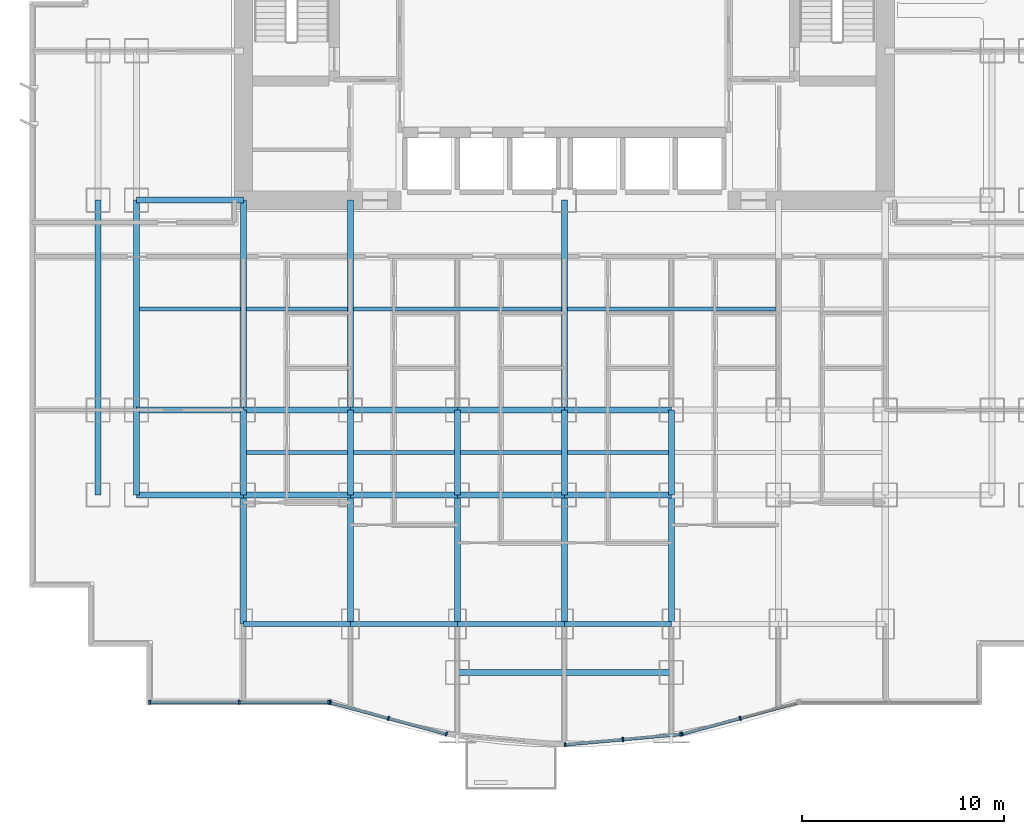
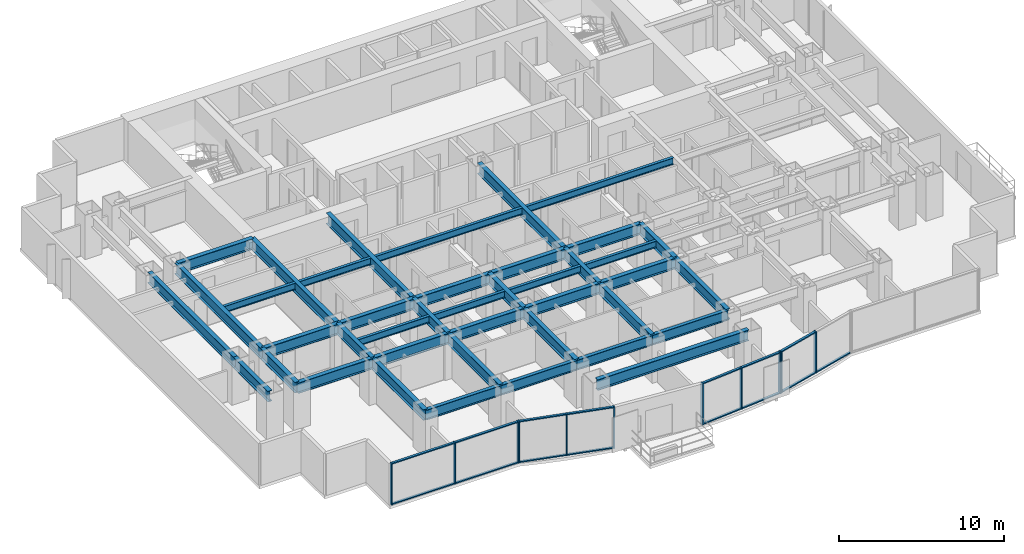
# One storey, part 2 of 10: 41 beams, 26 members, 4 elements without a shape of their own.
"""IFC4 building model written with IfcOpenShell, lengths in metres."""

from ifc_helpers import new_model, si_unit, direction, frame, origin, origin_2d, place, context, subcontext, project, spatial, rectangle, i_section, extrude, source, transform, mapped, material, layer, layer_set, material_profile, profile_set, type_object, element, aggregate, save


model = new_model("IFC4")

# Units and contexts
model_context = context("Model", 3, precision=1e-05, world=origin(), true_north=direction((0.0, 1.0)))
body_context = subcontext(model_context, "Body", "Model", "MODEL_VIEW")
ifc_project = project(units=[si_unit("LENGTHUNIT", "METRE"), si_unit("AREAUNIT", "SQUARE_METRE"), si_unit("VOLUMEUNIT", "CUBIC_METRE"), si_unit("PLANEANGLEUNIT", "RADIAN"), si_unit("MASSUNIT", "GRAM", prefix="KILO")], contexts=[model_context])

# Site, building, storey
site_placement = place(None, origin())
site = spatial("IfcSite", under=ifc_project, at=site_placement, CompositionType="ELEMENT")
building_placement = place(site_placement, origin())
building = spatial("IfcBuilding", under=site, at=building_placement, Name="Qianlan Lanfeng Residences", CompositionType="ELEMENT")
storey_placement = place(building_placement, frame((0.0, 0.0, 30.800048828125)))
storey = spatial("IfcBuildingStorey", under=building, at=storey_placement, Name="L07", CompositionType="ELEMENT", Elevation=30.800048828125)

# Beams
ifc_material_1 = material(Name="Steel SN490B", Category="steel")
ifc_material_profile_1 = material_profile(ifc_material_1, i_section(OverallWidth=0.300048828125, OverallDepth=0.800048828125, WebThickness=0.01611328125, FlangeThickness=0.028076171875, at=origin_2d()), Name="H 800x300x16x28")
ifc_profile_set_1 = profile_set([ifc_material_profile_1], Name="Steel SN490B")
beam_type_1 = type_object("IfcBeamType", Name="G-950", PredefinedType="BEAM", material=ifc_profile_set_1)
beam_1_placement = place(storey_placement, frame((21.199951171875, 1.800048828125, 2.679931640625), z_axis=(1.0, 0.0, 0.0), x_axis=(0.0, 1.0, 0.0)))
element("IfcBeam", 1, at=beam_1_placement, inside=storey, type_object=beam_type_1, Name="Structural beam G-950", PredefinedType="BEAM", context=body_context, shape_type="SweptSolid", body=[
    extrude(i_section(OverallWidth=0.300048828125, OverallDepth=0.800048828125, WebThickness=0.01611328125, FlangeThickness=0.028076171875, at=origin_2d()), origin(), (0.0, 0.0, 1.0), 10.60009765625),
])
beam_2_placement = place(storey_placement, frame((5.300048828125, 10.60009765625, 2.679931640625), z_axis=(1.0, 0.0, 0.0), x_axis=(0.0, 1.0, 0.0)))
element("IfcBeam", 2, at=beam_2_placement, inside=storey, type_object=beam_type_1, Name="Structural beam G-950", PredefinedType="BEAM", context=body_context, shape_type="SweptSolid", body=[
    extrude(i_section(OverallWidth=0.300048828125, OverallDepth=0.800048828125, WebThickness=0.01611328125, FlangeThickness=0.028076171875, at=origin_2d()), origin(), (0.0, 0.0, 1.0), 5.300048828125),
])
beam_3_placement = place(storey_placement, frame((10.60009765625, 10.60009765625, 2.679931640625), z_axis=(1.0, 0.0, 0.0), x_axis=(0.0, 1.0, 0.0)))
element("IfcBeam", 3, at=beam_3_placement, inside=storey, type_object=beam_type_1, Name="Structural beam G-950", PredefinedType="BEAM", context=body_context, shape_type="SweptSolid", body=[
    extrude(i_section(OverallWidth=0.300048828125, OverallDepth=0.800048828125, WebThickness=0.01611328125, FlangeThickness=0.028076171875, at=origin_2d()), origin(), (0.0, 0.0, 1.0), 5.2998046875),
])
for number, where, z_axis, x_axis, name in (
    (4, (15.89990234375, 10.60009765625, 2.679931640625), (1.0, 0.0, 0.0), (0.0, 1.0, 0.0), "Structural beam G-950"),
    (5, (21.199951171875, 10.60009765625, 2.679931640625), (1.0, 0.0, 0.0), (0.0, 1.0, 0.0), "Structural beam G-950"),
    (6, (26.5, 10.60009765625, 2.679931640625), (1.0, 0.0, 0.0), (0.0, 1.0, 0.0), "Structural beam G-950"),
    (7, (5.300048828125, 14.800048828125, 2.679931640625), (1.0, 0.0, 0.0), (0.0, 1.0, 0.0), "Structural beam G-950"),
):
    element("IfcBeam", number, at=place(storey_placement, frame(where, z_axis=z_axis, x_axis=x_axis)), inside=storey, type_object=beam_type_1, Name=name, PredefinedType="BEAM", context=body_context, shape_type="SweptSolid", body=[
        extrude(i_section(OverallWidth=0.300048828125, OverallDepth=0.800048828125, WebThickness=0.01611328125, FlangeThickness=0.028076171875, at=origin_2d()), origin(), (0.0, 0.0, 1.0), 5.300048828125),
    ])
beam_4_placement = place(storey_placement, frame((10.60009765625, 14.800048828125, 2.679931640625), z_axis=(1.0, 0.0, 0.0), x_axis=(0.0, 1.0, 0.0)))
element("IfcBeam", 8, at=beam_4_placement, inside=storey, type_object=beam_type_1, Name="Structural beam G-950", PredefinedType="BEAM", context=body_context, shape_type="SweptSolid", body=[
    extrude(i_section(OverallWidth=0.300048828125, OverallDepth=0.800048828125, WebThickness=0.01611328125, FlangeThickness=0.028076171875, at=origin_2d()), origin(), (0.0, 0.0, 1.0), 5.2998046875),
])
for number, where, z_axis, x_axis, name in (
    (9, (15.89990234375, 14.800048828125, 2.679931640625), (1.0, 0.0, 0.0), (0.0, 1.0, 0.0), "Structural beam G-950"),
    (10, (21.199951171875, 14.800048828125, 2.679931640625), (1.0, 0.0, 0.0), (0.0, 1.0, 0.0), "Structural beam G-950"),
    (11, (26.5, 14.800048828125, 2.679931640625), (1.0, 0.0, 0.0), (0.0, 1.0, 0.0), "Structural beam G-950"),
    (12, (5.300048828125, 25.199951171875, 2.679931640625), (1.0, 0.0, 0.0), (0.0, 1.0, 0.0), "Structural beam G-950"),
):
    element("IfcBeam", number, at=place(storey_placement, frame(where, z_axis=z_axis, x_axis=x_axis)), inside=storey, type_object=beam_type_1, Name=name, PredefinedType="BEAM", context=body_context, shape_type="SweptSolid", body=[
        extrude(i_section(OverallWidth=0.300048828125, OverallDepth=0.800048828125, WebThickness=0.01611328125, FlangeThickness=0.028076171875, at=origin_2d()), origin(), (0.0, 0.0, 1.0), 5.300048828125),
    ])
beam_5_placement = place(storey_placement, frame((3.39990234375, 10.60009765625, 2.679931640625), z_axis=(0.0, 1.0, 0.0), x_axis=(-1.0, 0.0, 0.0)))
element("IfcBeam", 13, at=beam_5_placement, inside=storey, type_object=beam_type_1, Name="Structural beam G-950", PredefinedType="BEAM", context=body_context, shape_type="SweptSolid", body=[
    extrude(i_section(OverallWidth=0.300048828125, OverallDepth=0.800048828125, WebThickness=0.01611328125, FlangeThickness=0.028076171875, at=origin_2d()), origin(), (0.0, 0.0, 1.0), 4.199951171875),
])
beam_6_placement = place(storey_placement, frame((3.39990234375, 14.800048828125, 2.679931640625), z_axis=(0.0, 1.0, 0.0), x_axis=(-1.0, 0.0, 0.0)))
element("IfcBeam", 14, at=beam_6_placement, inside=storey, type_object=beam_type_1, Name="Structural beam G-950", PredefinedType="BEAM", context=body_context, shape_type="SweptSolid", body=[
    extrude(i_section(OverallWidth=0.300048828125, OverallDepth=0.800048828125, WebThickness=0.01611328125, FlangeThickness=0.028076171875, at=origin_2d()), origin(), (0.0, 0.0, 1.0), 10.39990234375),
])
beam_7_placement = place(storey_placement, frame((5.300048828125, 10.60009765625, 2.679931640625), z_axis=(0.0, 1.0, 0.0), x_axis=(-1.0, 0.0, 0.0)))
element("IfcBeam", 15, at=beam_7_placement, inside=storey, type_object=beam_type_1, Name="Structural beam G-950", PredefinedType="BEAM", context=body_context, shape_type="SweptSolid", body=[
    extrude(i_section(OverallWidth=0.300048828125, OverallDepth=0.800048828125, WebThickness=0.01611328125, FlangeThickness=0.028076171875, at=origin_2d()), origin(), (0.0, 0.0, 1.0), 4.199951171875),
])
beam_8_placement = place(storey_placement, frame((5.300048828125, 14.800048828125, 2.679931640625), z_axis=(0.0, 1.0, 0.0), x_axis=(-1.0, 0.0, 0.0)))
element("IfcBeam", 16, at=beam_8_placement, inside=storey, type_object=beam_type_1, Name="Structural beam G-950", PredefinedType="BEAM", context=body_context, shape_type="SweptSolid", body=[
    extrude(i_section(OverallWidth=0.300048828125, OverallDepth=0.800048828125, WebThickness=0.01611328125, FlangeThickness=0.028076171875, at=origin_2d()), origin(), (0.0, 0.0, 1.0), 10.39990234375),
])
beam_9_placement = place(storey_placement, frame((10.60009765625, 4.199951171875, 2.679931640625), z_axis=(0.0, 1.0, 0.0), x_axis=(-1.0, 0.0, 0.0)))
element("IfcBeam", 17, at=beam_9_placement, inside=storey, type_object=beam_type_1, Name="Structural beam G-950", PredefinedType="BEAM", context=body_context, shape_type="SweptSolid", body=[
    extrude(i_section(OverallWidth=0.300048828125, OverallDepth=0.800048828125, WebThickness=0.01611328125, FlangeThickness=0.028076171875, at=origin_2d()), origin(), (0.0, 0.0, 1.0), 6.400146484375),
])
beam_10_placement = place(storey_placement, frame((10.60009765625, 10.60009765625, 2.679931640625), z_axis=(0.0, 1.0, 0.0), x_axis=(-1.0, 0.0, 0.0)))
element("IfcBeam", 18, at=beam_10_placement, inside=storey, type_object=beam_type_1, Name="Structural beam G-950", PredefinedType="BEAM", context=body_context, shape_type="SweptSolid", body=[
    extrude(i_section(OverallWidth=0.300048828125, OverallDepth=0.800048828125, WebThickness=0.01611328125, FlangeThickness=0.028076171875, at=origin_2d()), origin(), (0.0, 0.0, 1.0), 4.199951171875),
])
beam_11_placement = place(storey_placement, frame((10.60009765625, 14.800048828125, 2.679931640625), z_axis=(0.0, 1.0, 0.0), x_axis=(-1.0, 0.0, 0.0)))
element("IfcBeam", 19, at=beam_11_placement, inside=storey, type_object=beam_type_1, Name="Structural beam G-950", PredefinedType="BEAM", context=body_context, shape_type="SweptSolid", body=[
    extrude(i_section(OverallWidth=0.300048828125, OverallDepth=0.800048828125, WebThickness=0.01611328125, FlangeThickness=0.028076171875, at=origin_2d()), origin(), (0.0, 0.0, 1.0), 10.39990234375),
])
beam_12_placement = place(storey_placement, frame((15.89990234375, 4.199951171875, 2.679931640625), z_axis=(0.0, 1.0, 0.0), x_axis=(-1.0, 0.0, 0.0)))
element("IfcBeam", 20, at=beam_12_placement, inside=storey, type_object=beam_type_1, Name="Structural beam G-950", PredefinedType="BEAM", context=body_context, shape_type="SweptSolid", body=[
    extrude(i_section(OverallWidth=0.300048828125, OverallDepth=0.800048828125, WebThickness=0.01611328125, FlangeThickness=0.028076171875, at=origin_2d()), origin(), (0.0, 0.0, 1.0), 6.400146484375),
])
beam_13_placement = place(storey_placement, frame((15.89990234375, 10.60009765625, 2.679931640625), z_axis=(0.0, 1.0, 0.0), x_axis=(-1.0, 0.0, 0.0)))
element("IfcBeam", 21, at=beam_13_placement, inside=storey, type_object=beam_type_1, Name="Structural beam G-950", PredefinedType="BEAM", context=body_context, shape_type="SweptSolid", body=[
    extrude(i_section(OverallWidth=0.300048828125, OverallDepth=0.800048828125, WebThickness=0.01611328125, FlangeThickness=0.028076171875, at=origin_2d()), origin(), (0.0, 0.0, 1.0), 4.199951171875),
])
beam_14_placement = place(storey_placement, frame((15.89990234375, 14.800048828125, 2.679931640625), z_axis=(0.0, 1.0, 0.0), x_axis=(-1.0, 0.0, 0.0)))
element("IfcBeam", 22, at=beam_14_placement, inside=storey, type_object=beam_type_1, Name="Structural beam G-950", PredefinedType="BEAM", context=body_context, shape_type="SweptSolid", body=[
    extrude(i_section(OverallWidth=0.300048828125, OverallDepth=0.800048828125, WebThickness=0.01611328125, FlangeThickness=0.028076171875, at=origin_2d()), origin(), (0.0, 0.0, 1.0), 10.39990234375),
])
beam_15_placement = place(storey_placement, frame((21.199951171875, 4.199951171875, 2.679931640625), z_axis=(0.0, 1.0, 0.0), x_axis=(-1.0, 0.0, 0.0)))
element("IfcBeam", 23, at=beam_15_placement, inside=storey, type_object=beam_type_1, Name="Structural beam G-950", PredefinedType="BEAM", context=body_context, shape_type="SweptSolid", body=[
    extrude(i_section(OverallWidth=0.300048828125, OverallDepth=0.800048828125, WebThickness=0.01611328125, FlangeThickness=0.028076171875, at=origin_2d()), origin(), (0.0, 0.0, 1.0), 6.400146484375),
])
beam_16_placement = place(storey_placement, frame((21.199951171875, 10.60009765625, 2.679931640625), z_axis=(0.0, 1.0, 0.0), x_axis=(-1.0, 0.0, 0.0)))
element("IfcBeam", 24, at=beam_16_placement, inside=storey, type_object=beam_type_1, Name="Structural beam G-950", PredefinedType="BEAM", context=body_context, shape_type="SweptSolid", body=[
    extrude(i_section(OverallWidth=0.300048828125, OverallDepth=0.800048828125, WebThickness=0.01611328125, FlangeThickness=0.028076171875, at=origin_2d()), origin(), (0.0, 0.0, 1.0), 4.199951171875),
])
beam_17_placement = place(storey_placement, frame((26.5, 4.199951171875, 2.679931640625), z_axis=(0.0, 1.0, 0.0), x_axis=(-1.0, 0.0, 0.0)))
element("IfcBeam", 25, at=beam_17_placement, inside=storey, type_object=beam_type_1, Name="Structural beam G-950", PredefinedType="BEAM", context=body_context, shape_type="SweptSolid", body=[
    extrude(i_section(OverallWidth=0.300048828125, OverallDepth=0.800048828125, WebThickness=0.01611328125, FlangeThickness=0.028076171875, at=origin_2d()), origin(), (0.0, 0.0, 1.0), 6.400146484375),
])
beam_18_placement = place(storey_placement, frame((26.5, 10.60009765625, 2.679931640625), z_axis=(0.0, 1.0, 0.0), x_axis=(-1.0, 0.0, 0.0)))
element("IfcBeam", 26, at=beam_18_placement, inside=storey, type_object=beam_type_1, Name="Structural beam G-950", PredefinedType="BEAM", context=body_context, shape_type="SweptSolid", body=[
    extrude(i_section(OverallWidth=0.300048828125, OverallDepth=0.800048828125, WebThickness=0.01611328125, FlangeThickness=0.028076171875, at=origin_2d()), origin(), (0.0, 0.0, 1.0), 4.199951171875),
])
beam_19_placement = place(storey_placement, frame((26.5, 14.800048828125, 2.679931640625), z_axis=(0.0, 1.0, 0.0), x_axis=(-1.0, 0.0, 0.0)))
element("IfcBeam", 27, at=beam_19_placement, inside=storey, type_object=beam_type_1, Name="Structural beam G-950", PredefinedType="BEAM", context=body_context, shape_type="SweptSolid", body=[
    extrude(i_section(OverallWidth=0.300048828125, OverallDepth=0.800048828125, WebThickness=0.01611328125, FlangeThickness=0.028076171875, at=origin_2d()), origin(), (0.0, 0.0, 1.0), 10.39990234375),
])
beam_20_placement = place(storey_placement, frame((31.800048828125, 4.199951171875, 2.679931640625), z_axis=(0.0, 1.0, 0.0), x_axis=(-1.0, 0.0, 0.0)))
element("IfcBeam", 28, at=beam_20_placement, inside=storey, type_object=beam_type_1, Name="Structural beam G-950", PredefinedType="BEAM", context=body_context, shape_type="SweptSolid", body=[
    extrude(i_section(OverallWidth=0.300048828125, OverallDepth=0.800048828125, WebThickness=0.01611328125, FlangeThickness=0.028076171875, at=origin_2d()), origin(), (0.0, 0.0, 1.0), 6.400146484375),
])
beam_21_placement = place(storey_placement, frame((31.800048828125, 10.60009765625, 2.679931640625), z_axis=(0.0, 1.0, 0.0), x_axis=(-1.0, 0.0, 0.0)))
element("IfcBeam", 29, at=beam_21_placement, inside=storey, type_object=beam_type_1, Name="Structural beam G-950", PredefinedType="BEAM", context=body_context, shape_type="SweptSolid", body=[
    extrude(i_section(OverallWidth=0.300048828125, OverallDepth=0.800048828125, WebThickness=0.01611328125, FlangeThickness=0.028076171875, at=origin_2d()), origin(), (0.0, 0.0, 1.0), 4.199951171875),
])
ifc_material_profile_2 = material_profile(ifc_material_1, i_section(OverallWidth=0.199951171875, OverallDepth=0.5, WebThickness=0.010009765625, FlangeThickness=0.01611328125, at=origin_2d()), Name="H 500x200x10x16")
ifc_profile_set_2 = profile_set([ifc_material_profile_2], Name="Steel SN490B")
beam_type_2 = type_object("IfcBeamType", Name="J-500", PredefinedType="JOIST", material=ifc_profile_set_2)
for number, where, z_axis, x_axis, name in (
    (30, (10.75, 12.699951171875, 2.829833984375), (1.0, 0.0, 0.0), (0.0, 1.0, 0.0), "Structural beam J-500"),
    (31, (16.050048828125, 12.699951171875, 2.829833984375), (1.0, 0.0, 0.0), (0.0, 1.0, 0.0), "Structural beam J-500"),
    (32, (21.35009765625, 12.699951171875, 2.829833984375), (1.0, 0.0, 0.0), (0.0, 1.0, 0.0), "Structural beam J-500"),
    (33, (26.64990234375, 12.699951171875, 2.829833984375), (1.0, 0.0, 0.0), (0.0, 1.0, 0.0), "Structural beam J-500"),
    (34, (5.449951171875, 19.800048828125, 2.829833984375), (1.0, 0.0, 0.0), (0.0, 1.0, 0.0), "Structural beam J-500"),
    (35, (10.75, 19.800048828125, 2.829833984375), (1.0, 0.0, 0.0), (0.0, 1.0, 0.0), "Structural beam J-500"),
):
    element("IfcBeam", number, at=place(storey_placement, frame(where, z_axis=z_axis, x_axis=x_axis)), inside=storey, type_object=beam_type_2, Name=name, PredefinedType="JOIST", context=body_context, shape_type="SweptSolid", body=[
        extrude(i_section(OverallWidth=0.199951171875, OverallDepth=0.5, WebThickness=0.010009765625, FlangeThickness=0.01611328125, at=origin_2d()), origin(), (0.0, 0.0, 1.0), 5.0),
    ])
for number, where, z_axis, x_axis, name in (
    (36, (16.050048828125, 19.800048828125, 2.829833984375), (1.0, 0.0, 0.0), (0.0, 1.0, 0.0), "Structural beam J-500"),
    (37, (26.64990234375, 19.800048828125, 2.829833984375), (1.0, 0.0, 0.0), (0.0, 1.0, 0.0), "Structural beam J-500"),
):
    element("IfcBeam", number, at=place(storey_placement, frame(where, z_axis=z_axis, x_axis=x_axis)), inside=storey, type_object=beam_type_2, Name=name, PredefinedType="JOIST", context=body_context, shape_type="SweptSolid", body=[
        extrude(i_section(OverallWidth=0.199951171875, OverallDepth=0.5, WebThickness=0.010009765625, FlangeThickness=0.01611328125, at=origin_2d()), origin(), (0.0, 0.0, 1.0), 10.300048828125),
    ])
ifc_material_profile_3 = material_profile(ifc_material_1, i_section(OverallWidth=0.25, OverallDepth=0.75, WebThickness=0.013916015625, FlangeThickness=0.02490234375, at=origin_2d()), Name="H 750x250x14x25")
ifc_profile_set_3 = profile_set([ifc_material_profile_3], Name="Steel SN490B")
beam_type_3 = type_object("IfcBeamType", Name="SG-850", PredefinedType="SPANDREL", material=ifc_profile_set_3)
beam_22_placement = place(storey_placement, frame((10.60009765625, 4.199951171875, 2.704833984375), z_axis=(1.0, 0.0, 0.0), x_axis=(0.0, 1.0, 0.0)))
element("IfcBeam", 38, at=beam_22_placement, inside=storey, type_object=beam_type_3, Name="Structural beam SG-850", PredefinedType="SPANDREL", context=body_context, shape_type="SweptSolid", body=[
    extrude(i_section(OverallWidth=0.25, OverallDepth=0.75, WebThickness=0.013916015625, FlangeThickness=0.02490234375, at=origin_2d()), origin(), (0.0, 0.0, 1.0), 5.2998046875),
])
for number, where, z_axis, x_axis, name in (
    (39, (15.89990234375, 4.199951171875, 2.704833984375), (1.0, 0.0, 0.0), (0.0, 1.0, 0.0), "Structural beam SG-850"),
    (40, (21.199951171875, 4.199951171875, 2.704833984375), (1.0, 0.0, 0.0), (0.0, 1.0, 0.0), "Structural beam SG-850"),
    (41, (26.5, 4.199951171875, 2.704833984375), (1.0, 0.0, 0.0), (0.0, 1.0, 0.0), "Structural beam SG-850"),
):
    element("IfcBeam", number, at=place(storey_placement, frame(where, z_axis=z_axis, x_axis=x_axis)), inside=storey, type_object=beam_type_3, Name=name, PredefinedType="SPANDREL", context=body_context, shape_type="SweptSolid", body=[
        extrude(i_section(OverallWidth=0.25, OverallDepth=0.75, WebThickness=0.013916015625, FlangeThickness=0.02490234375, at=origin_2d()), origin(), (0.0, 0.0, 1.0), 5.300048828125),
    ])

# Curtain wall, members
ifc_material_2 = material(Name="Anodised Bronze Aluminium 6063-T6", Category="aluminium")
ifc_layer = layer(ifc_material_2, 0.219970703125)
ifc_layer_set = layer_set([ifc_layer], Name="Anodised Bronze Aluminium 6063-T6")
curtain_wall_type = type_object("IfcCurtainWallType", Name="CW-02", PredefinedType="NOTDEFINED", material=ifc_layer_set)
curtain_wall_1_placement = place(storey_placement, origin())
curtain_wall_1 = element("IfcCurtainWall", 42, at=curtain_wall_1_placement, inside=storey, type_object=curtain_wall_type, Name="L07 Unitised Curtain Wall CWR-L07-02 (CW-02)", PredefinedType="NOTDEFINED")
ifc_material_profile_4 = material_profile(ifc_material_2, rectangle(XDim=0.080078125, YDim=0.159912109375, at=origin_2d()), Name="ALU TRANSOM 80x160")
ifc_profile_set_4 = profile_set([ifc_material_profile_4], Name="Anodised Bronze Aluminium 6063-T6")
member_type_1 = type_object("IfcMemberType", Name="CWT-180", PredefinedType="USERDEFINED", material=ifc_profile_set_4)
shared_shape_1 = source(origin(), body_context, "Body", "SweptSolid", [
    extrude(rectangle(XDim=0.080078125, YDim=0.159912109375, at=origin_2d()), origin(), (0.0, 0.0, 1.0), 2.897705078125),
])
member_1_placement = place(storey_placement, frame((14.947265625, 0.299072265625, 0.0400390625), z_axis=(0.965267548724, -0.261263390817, 0.0), x_axis=(0.0, 0.0, 1.0)))
member_1 = element("IfcMember", 43, at=member_1_placement, type_object=member_type_1, Name="CWR-L07-02 Transom 1-BOT", ObjectType="TRANSOM", PredefinedType="USERDEFINED", context=body_context, shape_type="MappedRepresentation", body=[
    mapped(shared_shape_1, transform((0.0, 0.0, 0.0), scale=1.0)),
])
member_2_placement = place(storey_placement, frame((14.947265625, 0.299072265625, 3.0400390625), z_axis=(0.965267548724, -0.261263390817, 0.0), x_axis=(0.0, 0.0, 1.0)))
member_2 = element("IfcMember", 44, at=member_2_placement, type_object=member_type_1, Name="CWR-L07-02 Transom 1-TOP", ObjectType="TRANSOM", PredefinedType="USERDEFINED", context=body_context, shape_type="MappedRepresentation", body=[
    mapped(shared_shape_1, transform((0.0, 0.0, 0.0), scale=1.0)),
])

# Curtain wall, member
curtain_wall_2_placement = place(storey_placement, origin())
curtain_wall_2 = element("IfcCurtainWall", 45, at=curtain_wall_2_placement, inside=storey, type_object=curtain_wall_type, Name="L07 Unitised Curtain Wall CWR-L07-04 (CW-02)", PredefinedType="NOTDEFINED")
member_3_placement = place(storey_placement, frame((35.255615234375, -0.4580078125, 0.0400390625), z_axis=(0.965267548724, 0.261263390817, 0.0), x_axis=(0.0, 0.0, 1.0)))
member_3 = element("IfcMember", 46, at=member_3_placement, type_object=member_type_1, Name="CWR-L07-04 Transom 2-BOT", ObjectType="TRANSOM", PredefinedType="USERDEFINED", context=body_context, shape_type="MappedRepresentation", body=[
    mapped(shared_shape_1, transform((0.0, 0.0, 0.0), scale=1.0)),
])

# Member
shared_shape_2 = source(origin(), body_context, "Body", "SweptSolid", [
    extrude(rectangle(XDim=0.080078125, YDim=0.159912109375, at=origin_2d()), origin(), (0.0, 0.0, 1.0), 2.89794921875),
])
member_4_placement = place(storey_placement, frame((17.821533203125, -0.47900390625, 0.0400390625), z_axis=(0.965273298897, -0.261242145215, 0.0), x_axis=(0.0, 0.0, 1.0)))
member_4 = element("IfcMember", 47, at=member_4_placement, type_object=member_type_1, Name="CWR-L07-02 Transom 2-BOT", ObjectType="TRANSOM", PredefinedType="USERDEFINED", context=body_context, shape_type="MappedRepresentation", body=[
    mapped(shared_shape_2, transform((0.0, 0.0, 0.0), scale=1.0)),
])

member_5_placement = place(storey_placement, frame((17.821533203125, -0.47900390625, 3.0400390625), z_axis=(0.965273298897, -0.261242145215, 0.0), x_axis=(0.0, 0.0, 1.0)))
member_5 = element("IfcMember", 48, at=member_5_placement, type_object=member_type_1, Name="CWR-L07-02 Transom 2-TOP", ObjectType="TRANSOM", PredefinedType="USERDEFINED", context=body_context, shape_type="MappedRepresentation", body=[
    mapped(shared_shape_2, transform((0.0, 0.0, 0.0), scale=1.0)),
])

member_6_placement = place(storey_placement, frame((32.381103515625, -1.236083984375, 0.0400390625), z_axis=(0.965273298897, 0.261242145215, 0.0), x_axis=(0.0, 0.0, 1.0)))
member_6 = element("IfcMember", 49, at=member_6_placement, type_object=member_type_1, Name="CWR-L07-04 Transom 1-BOT", ObjectType="TRANSOM", PredefinedType="USERDEFINED", context=body_context, shape_type="MappedRepresentation", body=[
    mapped(shared_shape_2, transform((0.0, 0.0, 0.0), scale=1.0)),
])

member_7_placement = place(storey_placement, frame((32.381103515625, -1.236083984375, 3.0400390625), z_axis=(0.965273298897, 0.261242145215, 0.0), x_axis=(0.0, 0.0, 1.0)))
member_7 = element("IfcMember", 50, at=member_7_placement, type_object=member_type_1, Name="CWR-L07-04 Transom 1-TOP", ObjectType="TRANSOM", PredefinedType="USERDEFINED", context=body_context, shape_type="MappedRepresentation", body=[
    mapped(shared_shape_2, transform((0.0, 0.0, 0.0), scale=1.0)),
])

# Curtain wall, members
curtain_wall_3_placement = place(storey_placement, origin())
curtain_wall_3 = element("IfcCurtainWall", 51, at=curtain_wall_3_placement, inside=storey, type_object=curtain_wall_type, Name="L07 Unitised Curtain Wall CWR-L07-03 (CW-02)", PredefinedType="NOTDEFINED")
shared_shape_3 = source(origin(), body_context, "Body", "SweptSolid", [
    extrude(rectangle(XDim=0.080078125, YDim=0.159912109375, at=origin_2d()), origin(), (0.0, 0.0, 1.0), 2.793701171875),
])
member_8_placement = place(storey_placement, frame((29.44189453125, -1.514892578125, 0.0400390625), z_axis=(0.995964524532, 0.089747790357, 0.0), x_axis=(0.0, 0.0, 1.0)))
member_8 = element("IfcMember", 52, at=member_8_placement, type_object=member_type_1, Name="CWR-L07-03 Transom 2-BOT", ObjectType="TRANSOM", PredefinedType="USERDEFINED", context=body_context, shape_type="MappedRepresentation", body=[
    mapped(shared_shape_3, transform((0.0, 0.0, 0.0), scale=1.0)),
])
member_9_placement = place(storey_placement, frame((29.44189453125, -1.514892578125, 3.0400390625), z_axis=(0.995964524532, 0.089747790357, 0.0), x_axis=(0.0, 0.0, 1.0)))
member_9 = element("IfcMember", 53, at=member_9_placement, type_object=member_type_1, Name="CWR-L07-03 Transom 2-TOP", ObjectType="TRANSOM", PredefinedType="USERDEFINED", context=body_context, shape_type="MappedRepresentation", body=[
    mapped(shared_shape_3, transform((0.0, 0.0, 0.0), scale=1.0)),
])
shared_shape_4 = source(origin(), body_context, "Body", "SweptSolid", [
    extrude(rectangle(XDim=0.080078125, YDim=0.159912109375, at=origin_2d()), origin(), (0.0, 0.0, 1.0), 2.7939453125),
])
member_10_placement = place(storey_placement, frame((26.57958984375, -1.772705078125, 0.0400390625), z_axis=(0.995973034517, 0.089653301756, 0.0), x_axis=(0.0, 0.0, 1.0)))
member_10 = element("IfcMember", 54, at=member_10_placement, type_object=member_type_1, Name="CWR-L07-03 Transom 1-BOT", ObjectType="TRANSOM", PredefinedType="USERDEFINED", context=body_context, shape_type="MappedRepresentation", body=[
    mapped(shared_shape_4, transform((0.0, 0.0, 0.0), scale=1.0)),
])
member_11_placement = place(storey_placement, frame((26.57958984375, -1.772705078125, 3.0400390625), z_axis=(0.995973034517, 0.089653301756, 0.0), x_axis=(0.0, 0.0, 1.0)))
member_11 = element("IfcMember", 55, at=member_11_placement, type_object=member_type_1, Name="CWR-L07-03 Transom 1-TOP", ObjectType="TRANSOM", PredefinedType="USERDEFINED", context=body_context, shape_type="MappedRepresentation", body=[
    mapped(shared_shape_4, transform((0.0, 0.0, 0.0), scale=1.0)),
])

curtain_wall_4_placement = place(storey_placement, origin())
curtain_wall_4 = element("IfcCurtainWall", 56, at=curtain_wall_4_placement, inside=storey, type_object=curtain_wall_type, Name="L07 Unitised Curtain Wall CWR-L07-01 (CW-02)", PredefinedType="NOTDEFINED")
shared_shape_5 = source(origin(), body_context, "Body", "SweptSolid", [
    extrude(rectangle(XDim=0.080078125, YDim=0.159912109375, at=origin_2d()), origin(), (0.0, 0.0, 1.0), 4.35498046875),
])
member_12_placement = place(storey_placement, frame((6.0, 0.320068359375, 0.0400390625), z_axis=(1.0, 0.0, 0.0), x_axis=(0.0, 0.0, 1.0)))
member_12 = element("IfcMember", 57, at=member_12_placement, type_object=member_type_1, Name="CWR-L07-01 Transom 1-BOT", ObjectType="TRANSOM", PredefinedType="USERDEFINED", context=body_context, shape_type="MappedRepresentation", body=[
    mapped(shared_shape_5, transform((0.0, 0.0, 0.0), scale=1.0)),
])
member_13_placement = place(storey_placement, frame((6.0, 0.320068359375, 3.0400390625), z_axis=(1.0, 0.0, 0.0), x_axis=(0.0, 0.0, 1.0)))
member_13 = element("IfcMember", 58, at=member_13_placement, type_object=member_type_1, Name="CWR-L07-01 Transom 1-TOP", ObjectType="TRANSOM", PredefinedType="USERDEFINED", context=body_context, shape_type="MappedRepresentation", body=[
    mapped(shared_shape_5, transform((0.0, 0.0, 0.0), scale=1.0)),
])
member_14_placement = place(storey_placement, frame((10.43505859375, 0.320068359375, 0.0400390625), z_axis=(1.0, 0.0, 0.0), x_axis=(0.0, 0.0, 1.0)))
member_14 = element("IfcMember", 59, at=member_14_placement, type_object=member_type_1, Name="CWR-L07-01 Transom 2-BOT", ObjectType="TRANSOM", PredefinedType="USERDEFINED", context=body_context, shape_type="MappedRepresentation", body=[
    mapped(shared_shape_5, transform((0.0, 0.0, 0.0), scale=1.0)),
])
member_15_placement = place(storey_placement, frame((10.43505859375, 0.320068359375, 3.0400390625), z_axis=(1.0, 0.0, 0.0), x_axis=(0.0, 0.0, 1.0)))
member_15 = element("IfcMember", 60, at=member_15_placement, type_object=member_type_1, Name="CWR-L07-01 Transom 2-TOP", ObjectType="TRANSOM", PredefinedType="USERDEFINED", context=body_context, shape_type="MappedRepresentation", body=[
    mapped(shared_shape_5, transform((0.0, 0.0, 0.0), scale=1.0)),
])
ifc_material_profile_5 = material_profile(ifc_material_2, rectangle(XDim=0.080078125, YDim=0.2099609375, at=origin_2d()), Name="ALU MULLION 80x210")
ifc_profile_set_5 = profile_set([ifc_material_profile_5], Name="Anodised Bronze Aluminium 6063-T6")
member_type_2 = type_object("IfcMemberType", Name="CWM-220", PredefinedType="MULLION", material=ifc_profile_set_5)
shared_shape_6 = source(origin(), body_context, "Body", "SweptSolid", [
    extrude(rectangle(XDim=0.080078125, YDim=0.2099609375, at=origin_2d()), origin(), (0.0, 0.0, 1.0), 3.079833984375),
])
member_16_placement = place(storey_placement, frame((5.9599609375, 0.320068359375, 0.0), z_axis=(0.0, 0.0, 1.0), x_axis=(1.0, 0.0, 0.0)))
member_16 = element("IfcMember", 61, at=member_16_placement, type_object=member_type_2, Name="CWR-L07-01 Mullion 1", PredefinedType="MULLION", context=body_context, shape_type="MappedRepresentation", body=[
    mapped(shared_shape_6, transform((0.0, 0.0, 0.0), scale=1.0)),
])
member_17_placement = place(storey_placement, frame((10.39501953125, 0.320068359375, 0.0), z_axis=(0.0, 0.0, 1.0), x_axis=(1.0, 0.0, 0.0)))
member_17 = element("IfcMember", 62, at=member_17_placement, type_object=member_type_2, Name="CWR-L07-01 Mullion 2", PredefinedType="MULLION", context=body_context, shape_type="MappedRepresentation", body=[
    mapped(shared_shape_6, transform((0.0, 0.0, 0.0), scale=1.0)),
])
member_18_placement = place(storey_placement, frame((14.830078125, 0.320068359375, 0.0), z_axis=(0.0, 0.0, 1.0), x_axis=(1.0, 0.0, 0.0)))
member_18 = element("IfcMember", 63, at=member_18_placement, type_object=member_type_2, Name="CWR-L07-01 Mullion 3", PredefinedType="MULLION", context=body_context, shape_type="MappedRepresentation", body=[
    mapped(shared_shape_6, transform((0.0, 0.0, 0.0), scale=1.0)),
])
aggregate(curtain_wall_4, [member_16, member_17, member_18, member_12, member_13, member_14, member_15])

# Member
member_19_placement = place(storey_placement, frame((14.90869140625, 0.3095703125, 0.0), z_axis=(0.0, 0.0, 1.0), x_axis=(0.9652627173, -0.261281240412, 0.0)))
member_19 = element("IfcMember", 64, at=member_19_placement, type_object=member_type_2, Name="CWR-L07-02 Mullion 1", PredefinedType="MULLION", context=body_context, shape_type="MappedRepresentation", body=[
    mapped(shared_shape_6, transform((0.0, 0.0, 0.0), scale=1.0)),
])

member_20_placement = place(storey_placement, frame((17.782958984375, -0.468505859375, 0.0), z_axis=(0.0, 0.0, 1.0), x_axis=(0.9652627173, -0.261281240412, 0.0)))
member_20 = element("IfcMember", 65, at=member_20_placement, type_object=member_type_2, Name="CWR-L07-02 Mullion 2", PredefinedType="MULLION", context=body_context, shape_type="MappedRepresentation", body=[
    mapped(shared_shape_6, transform((0.0, 0.0, 0.0), scale=1.0)),
])

member_21_placement = place(storey_placement, frame((20.657470703125, -1.24658203125, 0.0), z_axis=(0.0, 0.0, 1.0), x_axis=(0.9652627173, -0.261281240412, 0.0)))
member_21 = element("IfcMember", 66, at=member_21_placement, type_object=member_type_2, Name="CWR-L07-02 Mullion 3", PredefinedType="MULLION", context=body_context, shape_type="MappedRepresentation", body=[
    mapped(shared_shape_6, transform((0.0, 0.0, 0.0), scale=1.0)),
])

aggregate(curtain_wall_1, [member_19, member_20, member_21, member_1, member_2, member_4, member_5])

member_22_placement = place(storey_placement, frame((26.539794921875, -1.7763671875, 0.0), z_axis=(0.0, 0.0, 1.0), x_axis=(0.995964677764, 0.089746089862, 0.0)))
member_22 = element("IfcMember", 67, at=member_22_placement, type_object=member_type_2, Name="CWR-L07-03 Mullion 1", PredefinedType="MULLION", context=body_context, shape_type="MappedRepresentation", body=[
    mapped(shared_shape_6, transform((0.0, 0.0, 0.0), scale=1.0)),
])

member_23_placement = place(storey_placement, frame((29.402099609375, -1.5185546875, 0.0), z_axis=(0.0, 0.0, 1.0), x_axis=(0.995964677764, 0.089746089862, 0.0)))
member_23 = element("IfcMember", 68, at=member_23_placement, type_object=member_type_2, Name="CWR-L07-03 Mullion 2", PredefinedType="MULLION", context=body_context, shape_type="MappedRepresentation", body=[
    mapped(shared_shape_6, transform((0.0, 0.0, 0.0), scale=1.0)),
])

member_24_placement = place(storey_placement, frame((32.26416015625, -1.260498046875, 0.0), z_axis=(0.0, 0.0, 1.0), x_axis=(0.995964677764, 0.089746089862, 0.0)))
member_24 = element("IfcMember", 69, at=member_24_placement, type_object=member_type_2, Name="CWR-L07-03 Mullion 3", PredefinedType="MULLION", context=body_context, shape_type="MappedRepresentation", body=[
    mapped(shared_shape_6, transform((0.0, 0.0, 0.0), scale=1.0)),
])

aggregate(curtain_wall_3, [member_22, member_23, member_24, member_10, member_11, member_8, member_9])

member_25_placement = place(storey_placement, frame((32.342529296875, -1.24658203125, 0.0), z_axis=(0.0, 0.0, 1.0), x_axis=(0.9652627173, 0.261281240412, 0.0)))
member_25 = element("IfcMember", 70, at=member_25_placement, type_object=member_type_2, Name="CWR-L07-04 Mullion 1", PredefinedType="MULLION", context=body_context, shape_type="MappedRepresentation", body=[
    mapped(shared_shape_6, transform((0.0, 0.0, 0.0), scale=1.0)),
])

member_26_placement = place(storey_placement, frame((35.217041015625, -0.468505859375, 0.0), z_axis=(0.0, 0.0, 1.0), x_axis=(0.9652627173, 0.261281240412, 0.0)))
member_26 = element("IfcMember", 71, at=member_26_placement, type_object=member_type_2, Name="CWR-L07-04 Mullion 2", PredefinedType="MULLION", context=body_context, shape_type="MappedRepresentation", body=[
    mapped(shared_shape_6, transform((0.0, 0.0, 0.0), scale=1.0)),
])

aggregate(curtain_wall_2, [member_25, member_26, member_6, member_7, member_3])

save(model, "model.ifc")
